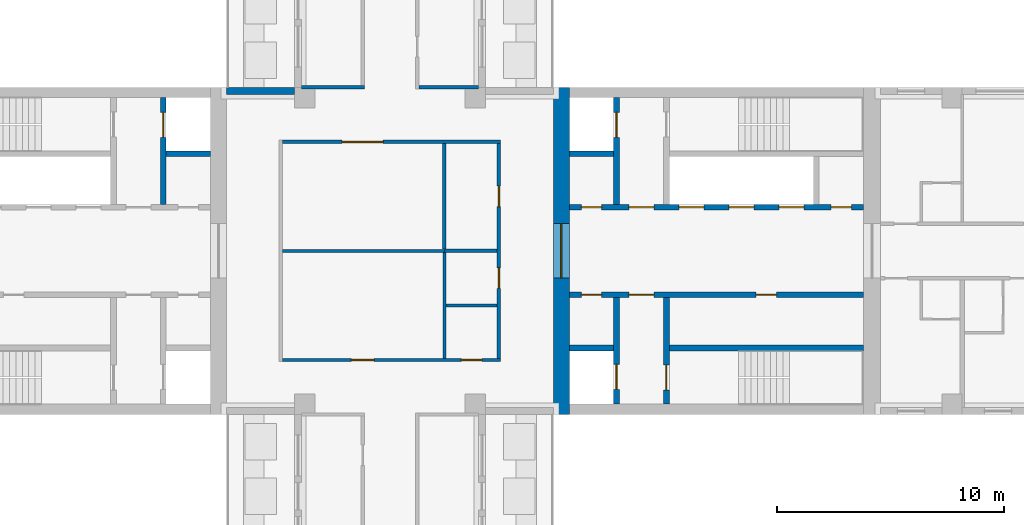
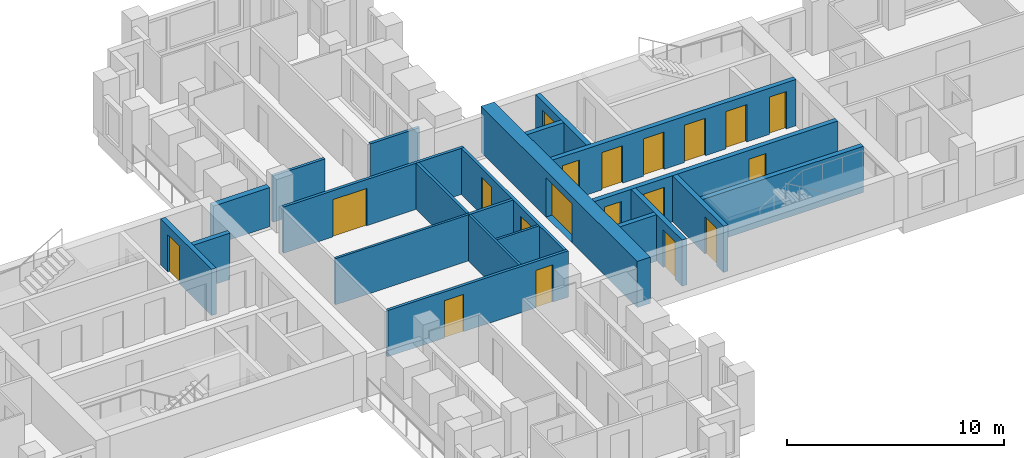
# One storey, part 6 of 12: 22 walls, 19 doors, 19 openings.
"""IFC4 building model written with IfcOpenShell, lengths in metres."""

from ifc_helpers import new_model, si_unit, direction, frame, frame_2d, origin, place, context, subcontext, project, spatial, rectangle, extrude, material, layer, layer_set, type_object, element, fill, save


model = new_model("IFC4")

# Units and contexts
model_context = context("Model", 3, precision=1e-05, world=origin(), true_north=direction((0.0, 1.0)))
body_context = subcontext(model_context, "Body", "Model", "MODEL_VIEW")
ifc_project = project(units=[si_unit("LENGTHUNIT", "METRE"), si_unit("AREAUNIT", "SQUARE_METRE"), si_unit("VOLUMEUNIT", "CUBIC_METRE"), si_unit("PLANEANGLEUNIT", "RADIAN"), si_unit("MASSUNIT", "GRAM", prefix="KILO")], contexts=[model_context])

# Site, building, storey
site_placement = place(None, origin())
site = spatial("IfcSite", under=ifc_project, at=site_placement, CompositionType="ELEMENT")
building_placement = place(site_placement, origin())
building = spatial("IfcBuilding", under=site, at=building_placement, Name="Fustian Cross Tower", CompositionType="ELEMENT")
storey_placement = place(building_placement, frame((0.0, 0.0, 135.300048828125)))
storey = spatial("IfcBuildingStorey", under=building, at=storey_placement, Name="L42", CompositionType="ELEMENT", Elevation=135.300048828125)

# Wall, openings, doors
ifc_material_1 = material(Name="Plasterboard on steel stud", Category="steel")
ifc_layer_1 = layer(ifc_material_1, 0.14990234375)
ifc_layer_set_1 = layer_set([ifc_layer_1], Name="Plasterboard on steel stud")
wall_type_1 = type_object("IfcWallType", Name="COMPARTMENT WALL 150 EI 60", PredefinedType="PARTITIONING", material=ifc_layer_set_1)
wall_1_placement = place(storey_placement, frame((-4.72509765625, -4.800048828125, 0.0), z_axis=(0.0, 0.0, 1.0), x_axis=(1.0, 0.0, 0.0)))
wall_1 = element("IfcWall", 1, at=wall_1_placement, inside=storey, type_object=wall_type_1, Name="Partition 17", PredefinedType="PARTITIONING", context=body_context, shape_type="SweptSolid", body=[
    extrude(rectangle(XDim=9.60009765625, YDim=0.14990234375, at=frame_2d((4.800048828125, 0.0))), origin(), (0.0, 0.0, 1.0), 2.599853515625),
])
opening_1_placement = place(wall_1_placement, frame((7.875, 0.0, 0.0)))
opening_1 = element("IfcOpeningElement", 2, at=opening_1_placement, cuts=wall_1, Name="Opening D19001", PredefinedType="OPENING", context=body_context, shape_type="SweptSolid", body=[
    extrude(rectangle(XDim=0.89990234375, YDim=2.10009765625, at=frame_2d((0.449951171875, 1.050048828125))), frame((0.0, 0.0849609375, 0.0), z_axis=(0.0, -1.0, 0.0), x_axis=(1.0, 0.0, 0.0)), (0.0, 0.0, 1.0), 0.169921875),
])
opening_2_placement = place(wall_1_placement, frame((3.02490234375, 0.0, 0.0)))
opening_2 = element("IfcOpeningElement", 3, at=opening_2_placement, cuts=wall_1, Name="Opening D19004", PredefinedType="OPENING", context=body_context, shape_type="SweptSolid", body=[
    extrude(rectangle(XDim=1.0, YDim=2.10009765625, at=frame_2d((0.5, 1.050048828125))), frame((0.0, 0.0849609375, 0.0), z_axis=(0.0, -1.0, 0.0), x_axis=(1.0, 0.0, 0.0)), (0.0, 0.0, 1.0), 0.169921875),
])
ifc_material_2 = material(Name="Timber fire door set", Category="wood")
door_type_1 = type_object("IfcDoorType", Name="FIRE SWING DOOR 1000 FD30S", OperationType="SINGLE_SWING_LEFT", PredefinedType="DOOR", material=ifc_material_2)
door_1_placement = place(opening_2_placement, origin())
door_1 = element("IfcDoor", 4, at=door_1_placement, inside=storey, type_object=door_type_1, Name="Door D19004", OperationType="SINGLE_SWING_LEFT", OverallHeight=2.10009765625, OverallWidth=1.0, PredefinedType="DOOR", context=body_context, shape_type="SweptSolid", body=[
    extrude(rectangle(XDim=1.0, YDim=2.10009765625, at=frame_2d((0.5, 1.050048828125))), frame((0.0, 0.02490234375, 0.0), z_axis=(0.0, -1.0, 0.0), x_axis=(1.0, 0.0, 0.0)), (0.0, 0.0, 1.0), 0.050048828125),
])
fill(opening_2, door_1)
ifc_material_3 = material(Name="Timber fire door set", Category="wood")
door_type_2 = type_object("IfcDoorType", Name="FIRE SWING DOOR 900 FD30S", OperationType="SINGLE_SWING_LEFT", PredefinedType="DOOR", material=ifc_material_3)
door_2_placement = place(opening_1_placement, origin())
door_2 = element("IfcDoor", 5, at=door_2_placement, inside=storey, type_object=door_type_2, Name="Door D19001", OperationType="SINGLE_SWING_LEFT", OverallHeight=2.10009765625, OverallWidth=0.89990234375, PredefinedType="DOOR", context=body_context, shape_type="SweptSolid", body=[
    extrude(rectangle(XDim=0.89990234375, YDim=2.10009765625, at=frame_2d((0.449951171875, 1.050048828125))), frame((0.0, 0.02490234375, 0.0), z_axis=(0.0, -1.0, 0.0), x_axis=(1.0, 0.0, 0.0)), (0.0, 0.0, 1.0), 0.050048828125),
])
fill(opening_1, door_2)

# Wall, opening, door
wall_2_placement = place(storey_placement, frame((-4.72509765625, 4.800048828125, 0.0), z_axis=(0.0, 0.0, 1.0), x_axis=(1.0, 0.0, 0.0)))
wall_2 = element("IfcWall", 6, at=wall_2_placement, inside=storey, type_object=wall_type_1, Name="Partition 19", PredefinedType="PARTITIONING", context=body_context, shape_type="SweptSolid", body=[
    extrude(rectangle(XDim=9.60009765625, YDim=0.14990234375, at=frame_2d((4.800048828125, 0.0))), origin(), (0.0, 0.0, 1.0), 2.599853515625),
])
opening_3_placement = place(wall_2_placement, frame((2.625, 0.0, 0.0)))
opening_3 = element("IfcOpeningElement", 7, at=opening_3_placement, cuts=wall_2, Name="Opening D19005", PredefinedType="OPENING", context=body_context, shape_type="SweptSolid", body=[
    extrude(rectangle(XDim=1.800048828125, YDim=2.10009765625, at=frame_2d((0.89990234375, 1.050048828125))), frame((0.0, 0.0849609375, 0.0), z_axis=(0.0, -1.0, 0.0), x_axis=(1.0, 0.0, 0.0)), (0.0, 0.0, 1.0), 0.169921875),
])
ifc_material_4 = material(Name="Timber fire door set", Category="wood")
door_type_3 = type_object("IfcDoorType", Name="FIRE DOUBLE DOOR 1800 FD30S", OperationType="DOUBLE_DOOR_DOUBLE_SWING", PredefinedType="DOOR", material=ifc_material_4)
door_3_placement = place(opening_3_placement, origin())
door_3 = element("IfcDoor", 8, at=door_3_placement, inside=storey, type_object=door_type_3, Name="Door D19005", OperationType="DOUBLE_DOOR_DOUBLE_SWING", OverallHeight=2.10009765625, OverallWidth=1.800048828125, PredefinedType="DOOR", context=body_context, shape_type="SweptSolid", body=[
    extrude(rectangle(XDim=1.800048828125, YDim=2.10009765625, at=frame_2d((0.89990234375, 1.050048828125))), frame((0.0, 0.02490234375, 0.0), z_axis=(0.0, -1.0, 0.0), x_axis=(1.0, 0.0, 0.0)), (0.0, 0.0, 1.0), 0.050048828125),
])
fill(opening_3, door_3)

# Walls
wall_3_placement = place(storey_placement, frame((-3.89990234375, 7.199951171875, 0.0), z_axis=(0.0, 0.0, 1.0), x_axis=(1.0, 0.0, 0.0)))
element("IfcWall", 9, at=wall_3_placement, inside=storey, type_object=wall_type_1, Name="Partition 22", PredefinedType="PARTITIONING", context=body_context, shape_type="SweptSolid", body=[
    extrude(rectangle(XDim=2.77490234375, YDim=0.14990234375, at=frame_2d((1.387451171875, 0.0))), origin(), (0.0, 0.0, 1.0), 2.599853515625),
])
wall_4_placement = place(storey_placement, frame((1.27490234375, 7.199951171875, 0.0), z_axis=(0.0, 0.0, 1.0), x_axis=(1.0, 0.0, 0.0)))
element("IfcWall", 10, at=wall_4_placement, inside=storey, type_object=wall_type_1, Name="Partition 39", PredefinedType="PARTITIONING", context=body_context, shape_type="SweptSolid", body=[
    extrude(rectangle(XDim=2.625, YDim=0.14990234375, at=frame_2d((1.3125, 0.0))), origin(), (0.0, 0.0, 1.0), 2.599853515625),
])
wall_5_placement = place(storey_placement, frame((2.39990234375, 0.074951171875, 0.0), z_axis=(0.0, 0.0, 1.0), x_axis=(0.0, 1.0, 0.0)))
element("IfcWall", 11, at=wall_5_placement, inside=storey, type_object=wall_type_1, Name="Partition 44", PredefinedType="PARTITIONING", context=body_context, shape_type="SweptSolid", body=[
    extrude(rectangle(XDim=4.650146484375, YDim=0.14990234375, at=frame_2d((2.3251953125, 0.0))), origin(), (0.0, 0.0, 1.0), 2.599853515625),
])
wall_6_placement = place(storey_placement, frame((2.39990234375, 0.0, 0.0), z_axis=(0.0, 0.0, 1.0), x_axis=(1.0, 0.0, 0.0)))
element("IfcWall", 12, at=wall_6_placement, inside=storey, type_object=wall_type_1, Name="Partition 45", PredefinedType="PARTITIONING", context=body_context, shape_type="SweptSolid", body=[
    extrude(rectangle(XDim=2.3251953125, YDim=0.14990234375, at=frame_2d((1.16259765625, 0.0))), origin(), (0.0, 0.0, 1.0), 2.599853515625),
])

# Wall, openings, doors
wall_7_placement = place(storey_placement, frame((4.800048828125, -4.72509765625, 0.0), z_axis=(0.0, 0.0, 1.0), x_axis=(0.0, 1.0, 0.0)))
wall_7 = element("IfcWall", 13, at=wall_7_placement, inside=storey, type_object=wall_type_1, Name="Partition 48", PredefinedType="PARTITIONING", context=body_context, shape_type="SweptSolid", body=[
    extrude(rectangle(XDim=9.4501953125, YDim=0.14990234375, at=frame_2d((4.72509765625, 0.0))), origin(), (0.0, 0.0, 1.0), 2.599853515625),
])
opening_4_placement = place(wall_7_placement, frame((3.074951171875, 0.0, 0.0)))
opening_4 = element("IfcOpeningElement", 14, at=opening_4_placement, cuts=wall_7, Name="Opening D19002", PredefinedType="OPENING", context=body_context, shape_type="SweptSolid", body=[
    extrude(rectangle(XDim=0.89990234375, YDim=2.10009765625, at=frame_2d((0.449951171875, 1.050048828125))), frame((0.0, 0.0849609375, 0.0), z_axis=(0.0, -1.0, 0.0), x_axis=(1.0, 0.0, 0.0)), (0.0, 0.0, 1.0), 0.169921875),
])
opening_5_placement = place(wall_7_placement, frame((6.675048828125, 0.0, 0.0)))
opening_5 = element("IfcOpeningElement", 15, at=opening_5_placement, cuts=wall_7, Name="Opening D19003", PredefinedType="OPENING", context=body_context, shape_type="SweptSolid", body=[
    extrude(rectangle(XDim=0.89990234375, YDim=2.10009765625, at=frame_2d((0.449951171875, 1.050048828125))), frame((0.0, 0.0849609375, 0.0), z_axis=(0.0, -1.0, 0.0), x_axis=(1.0, 0.0, 0.0)), (0.0, 0.0, 1.0), 0.169921875),
])
door_4_placement = place(opening_4_placement, origin())
door_4 = element("IfcDoor", 16, at=door_4_placement, inside=storey, type_object=door_type_2, Name="Door D19002", OperationType="SINGLE_SWING_LEFT", OverallHeight=2.10009765625, OverallWidth=0.89990234375, PredefinedType="DOOR", context=body_context, shape_type="SweptSolid", body=[
    extrude(rectangle(XDim=0.89990234375, YDim=2.10009765625, at=frame_2d((0.449951171875, 1.050048828125))), frame((0.0, 0.02490234375, 0.0), z_axis=(0.0, -1.0, 0.0), x_axis=(1.0, 0.0, 0.0)), (0.0, 0.0, 1.0), 0.050048828125),
])
fill(opening_4, door_4)
door_5_placement = place(opening_5_placement, origin())
door_5 = element("IfcDoor", 17, at=door_5_placement, inside=storey, type_object=door_type_2, Name="Door D19003", OperationType="SINGLE_SWING_LEFT", OverallHeight=2.10009765625, OverallWidth=0.89990234375, PredefinedType="DOOR", context=body_context, shape_type="SweptSolid", body=[
    extrude(rectangle(XDim=0.89990234375, YDim=2.10009765625, at=frame_2d((0.449951171875, 1.050048828125))), frame((0.0, 0.02490234375, 0.0), z_axis=(0.0, -1.0, 0.0), x_axis=(1.0, 0.0, 0.0)), (0.0, 0.0, 1.0), 0.050048828125),
])
fill(opening_5, door_5)

# Wall, opening, door
ifc_material_5 = material(Name="Concrete C60/75", Category="concrete")
ifc_layer_2 = layer(ifc_material_5, 0.699951171875)
ifc_layer_set_2 = layer_set([ifc_layer_2], Name="Concrete C60/75")
wall_type_2 = type_object("IfcWallType", Name="CORE END WALL 700 C60/75", PredefinedType="SHEAR", material=ifc_layer_set_2)
wall_8_placement = place(storey_placement, frame((7.550048828125, -7.199951171875, 0.0), z_axis=(0.0, 0.0, 1.0), x_axis=(0.0, 1.0, 0.0)))
wall_8 = element("IfcWall", 18, at=wall_8_placement, inside=storey, type_object=wall_type_2, Name="Core end wall", PredefinedType="SHEAR", context=body_context, shape_type="SweptSolid", body=[
    extrude(rectangle(XDim=14.39990234375, YDim=0.699951171875, at=frame_2d((7.199951171875, 0.0))), origin(), (0.0, 0.0, 1.0), 2.599853515625),
])
opening_6_placement = place(wall_8_placement, frame((6.0, 0.0, 0.0)))
opening_6 = element("IfcOpeningElement", 19, at=opening_6_placement, cuts=wall_8, Name="Opening CD-17-12", PredefinedType="OPENING", context=body_context, shape_type="SweptSolid", body=[
    extrude(rectangle(XDim=2.39990234375, YDim=2.199951171875, at=frame_2d((1.199951171875, 1.10009765625))), frame((0.0, 0.35986328125, 0.0), z_axis=(0.0, -1.0, 0.0), x_axis=(1.0, 0.0, 0.0)), (0.0, 0.0, 1.0), 0.719970703125),
])
ifc_material_6 = material(Name="Steel", Category="steel")
door_type_4 = type_object("IfcDoorType", Name="FIRE DOOR FD30S DOUBLE 2400X2200", OperationType="DOUBLE_DOOR_DOUBLE_SWING", PredefinedType="DOOR", material=ifc_material_6)
door_6_placement = place(opening_6_placement, origin())
door_6 = element("IfcDoor", 20, at=door_6_placement, inside=storey, type_object=door_type_4, Name="Core door CD-17-12", OperationType="DOUBLE_DOOR_DOUBLE_SWING", OverallHeight=2.199951171875, OverallWidth=2.39990234375, PredefinedType="DOOR", context=body_context, shape_type="SweptSolid", body=[
    extrude(rectangle(XDim=2.39990234375, YDim=2.199951171875, at=frame_2d((1.199951171875, 1.10009765625))), frame((0.0, 0.02490234375, 0.0), z_axis=(0.0, -1.0, 0.0), x_axis=(1.0, 0.0, 0.0)), (0.0, 0.0, 1.0), 0.050048828125),
])
fill(opening_6, door_6)

# Wall, openings, doors
ifc_material_7 = material(Name="Concrete C50/60", Category="concrete")
ifc_layer_3 = layer(ifc_material_7, 0.25)
ifc_layer_set_3 = layer_set([ifc_layer_3], Name="Concrete C50/60")
wall_type_3 = type_object("IfcWallType", Name="CORE LOBBY WALL 250 C50/60", PredefinedType="SHEAR", material=ifc_layer_set_3)
wall_9_placement = place(storey_placement, frame((7.89990234375, 1.925048828125, 0.0), z_axis=(0.0, 0.0, 1.0), x_axis=(1.0, 0.0, 0.0)))
wall_9 = element("IfcWall", 21, at=wall_9_placement, inside=storey, type_object=wall_type_3, Name="Core lobby wall", PredefinedType="SHEAR", context=body_context, shape_type="SweptSolid", body=[
    extrude(rectangle(XDim=12.9501953125, YDim=0.25, at=frame_2d((6.47509765625, 0.0))), origin(), (0.0, 0.0, 1.0), 2.599853515625),
])
opening_7_placement = place(wall_9_placement, frame((4.824951171875, 0.0, 0.0)))
opening_7 = element("IfcOpeningElement", 22, at=opening_7_placement, cuts=wall_9, Name="Opening LD", PredefinedType="OPENING", context=body_context, shape_type="SweptSolid", body=[
    extrude(rectangle(XDim=1.10009765625, YDim=2.10009765625, at=frame_2d((0.550048828125, 1.050048828125))), frame((0.0, 0.135009765625, 0.0), z_axis=(0.0, -1.0, 0.0), x_axis=(1.0, 0.0, 0.0)), (0.0, 0.0, 1.0), 0.27001953125),
])
opening_8_placement = place(wall_9_placement, frame((7.02490234375, 0.0, 0.0)))
opening_8 = element("IfcOpeningElement", 23, at=opening_8_placement, cuts=wall_9, Name="Opening LD", PredefinedType="OPENING", context=body_context, shape_type="SweptSolid", body=[
    extrude(rectangle(XDim=1.10009765625, YDim=2.10009765625, at=frame_2d((0.550048828125, 1.050048828125))), frame((0.0, 0.135009765625, 0.0), z_axis=(0.0, -1.0, 0.0), x_axis=(1.0, 0.0, 0.0)), (0.0, 0.0, 1.0), 0.27001953125),
])
opening_9_placement = place(wall_9_placement, frame((9.22509765625, 0.0, 0.0)))
opening_9 = element("IfcOpeningElement", 24, at=opening_9_placement, cuts=wall_9, Name="Opening LD", PredefinedType="OPENING", context=body_context, shape_type="SweptSolid", body=[
    extrude(rectangle(XDim=1.10009765625, YDim=2.10009765625, at=frame_2d((0.550048828125, 1.050048828125))), frame((0.0, 0.135009765625, 0.0), z_axis=(0.0, -1.0, 0.0), x_axis=(1.0, 0.0, 0.0)), (0.0, 0.0, 1.0), 0.27001953125),
])
opening_10_placement = place(wall_9_placement, frame((0.52490234375, 0.0, 0.0)))
opening_10 = element("IfcOpeningElement", 25, at=opening_10_placement, cuts=wall_9, Name="Opening CD-17-08", PredefinedType="OPENING", context=body_context, shape_type="SweptSolid", body=[
    extrude(rectangle(XDim=0.89990234375, YDim=2.10009765625, at=frame_2d((0.449951171875, 1.050048828125))), frame((0.0, 0.135009765625, 0.0), z_axis=(0.0, -1.0, 0.0), x_axis=(1.0, 0.0, 0.0)), (0.0, 0.0, 1.0), 0.27001953125),
])
opening_11_placement = place(wall_9_placement, frame((2.625, 0.0, 0.0)))
opening_11 = element("IfcOpeningElement", 26, at=opening_11_placement, cuts=wall_9, Name="Opening CD-17-10", PredefinedType="OPENING", context=body_context, shape_type="SweptSolid", body=[
    extrude(rectangle(XDim=1.10009765625, YDim=2.10009765625, at=frame_2d((0.550048828125, 1.050048828125))), frame((0.0, 0.135009765625, 0.0), z_axis=(0.0, -1.0, 0.0), x_axis=(1.0, 0.0, 0.0)), (0.0, 0.0, 1.0), 0.27001953125),
])
opening_12_placement = place(wall_9_placement, frame((11.52490234375, 0.0, 0.0)))
opening_12 = element("IfcOpeningElement", 27, at=opening_12_placement, cuts=wall_9, Name="Opening CD-17-14", PredefinedType="OPENING", context=body_context, shape_type="SweptSolid", body=[
    extrude(rectangle(XDim=0.89990234375, YDim=2.10009765625, at=frame_2d((0.449951171875, 1.050048828125))), frame((0.0, 0.135009765625, 0.0), z_axis=(0.0, -1.0, 0.0), x_axis=(1.0, 0.0, 0.0)), (0.0, 0.0, 1.0), 0.27001953125),
])
ifc_material_8 = material(Name="Steel", Category="steel")
door_type_5 = type_object("IfcDoorType", Name="FIRE DOOR FD30S 900X2100", OperationType="SINGLE_SWING_LEFT", PredefinedType="DOOR", material=ifc_material_8)
door_7_placement = place(opening_12_placement, origin())
door_7 = element("IfcDoor", 28, at=door_7_placement, inside=storey, type_object=door_type_5, Name="Core door CD-17-14", OperationType="SINGLE_SWING_LEFT", OverallHeight=2.10009765625, OverallWidth=0.89990234375, PredefinedType="DOOR", context=body_context, shape_type="SweptSolid", body=[
    extrude(rectangle(XDim=0.89990234375, YDim=2.10009765625, at=frame_2d((0.449951171875, 1.050048828125))), frame((0.0, 0.02490234375, 0.0), z_axis=(0.0, -1.0, 0.0), x_axis=(1.0, 0.0, 0.0)), (0.0, 0.0, 1.0), 0.050048828125),
])
fill(opening_12, door_7)
ifc_material_9 = material(Name="Steel", Category="steel")
door_type_6 = type_object("IfcDoorType", Name="FIRE DOOR FD60S 1100X2100", OperationType="SINGLE_SWING_LEFT", PredefinedType="DOOR", material=ifc_material_9)
door_8_placement = place(opening_11_placement, frame((1.10009765625, 0.0, 0.0), z_axis=(0.0, 0.0, 1.0), x_axis=(-1.0, 0.0, 0.0)))
door_8 = element("IfcDoor", 29, at=door_8_placement, inside=storey, type_object=door_type_6, Name="Core door CD-17-10", OperationType="SINGLE_SWING_RIGHT", OverallHeight=2.10009765625, OverallWidth=1.10009765625, PredefinedType="DOOR", context=body_context, shape_type="SweptSolid", body=[
    extrude(rectangle(XDim=1.10009765625, YDim=2.10009765625, at=frame_2d((0.550048828125, 1.050048828125))), frame((0.0, 0.02490234375, 0.0), z_axis=(0.0, -1.0, 0.0), x_axis=(1.0, 0.0, 0.0)), (0.0, 0.0, 1.0), 0.050048828125),
])
fill(opening_11, door_8)
ifc_material_10 = material(Name="Steel", Category="steel")
door_type_7 = type_object("IfcDoorType", Name="FIRE DOOR FD60S 900X2100", OperationType="SINGLE_SWING_LEFT", PredefinedType="DOOR", material=ifc_material_10)
door_9_placement = place(opening_10_placement, origin())
door_9 = element("IfcDoor", 30, at=door_9_placement, inside=storey, type_object=door_type_7, Name="Core door CD-17-08", OperationType="SINGLE_SWING_LEFT", OverallHeight=2.10009765625, OverallWidth=0.89990234375, PredefinedType="DOOR", context=body_context, shape_type="SweptSolid", body=[
    extrude(rectangle(XDim=0.89990234375, YDim=2.10009765625, at=frame_2d((0.449951171875, 1.050048828125))), frame((0.0, 0.02490234375, 0.0), z_axis=(0.0, -1.0, 0.0), x_axis=(1.0, 0.0, 0.0)), (0.0, 0.0, 1.0), 0.050048828125),
])
fill(opening_10, door_9)
ifc_material_11 = material(Name="Stainless steel", Category="steel")
door_type_8 = type_object("IfcDoorType", Name="LIFT LANDING DOOR 1100X2100", OperationType="SLIDING_TO_LEFT", PredefinedType="DOOR", material=ifc_material_11)
door_10_placement = place(opening_7_placement, origin())
door_10 = element("IfcDoor", 31, at=door_10_placement, inside=storey, type_object=door_type_8, Name="Landing door HR1", OperationType="SLIDING_TO_LEFT", OverallHeight=2.10009765625, OverallWidth=1.10009765625, PredefinedType="DOOR", context=body_context, shape_type="SweptSolid", body=[
    extrude(rectangle(XDim=1.10009765625, YDim=2.10009765625, at=frame_2d((0.550048828125, 1.050048828125))), frame((0.0, 0.02490234375, 0.0), z_axis=(0.0, -1.0, 0.0), x_axis=(1.0, 0.0, 0.0)), (0.0, 0.0, 1.0), 0.050048828125),
])
fill(opening_7, door_10)
door_11_placement = place(opening_8_placement, origin())
door_11 = element("IfcDoor", 32, at=door_11_placement, inside=storey, type_object=door_type_8, Name="Landing door HR2", OperationType="SLIDING_TO_LEFT", OverallHeight=2.10009765625, OverallWidth=1.10009765625, PredefinedType="DOOR", context=body_context, shape_type="SweptSolid", body=[
    extrude(rectangle(XDim=1.10009765625, YDim=2.10009765625, at=frame_2d((0.550048828125, 1.050048828125))), frame((0.0, 0.02490234375, 0.0), z_axis=(0.0, -1.0, 0.0), x_axis=(1.0, 0.0, 0.0)), (0.0, 0.0, 1.0), 0.050048828125),
])
fill(opening_8, door_11)
door_12_placement = place(opening_9_placement, origin())
door_12 = element("IfcDoor", 33, at=door_12_placement, inside=storey, type_object=door_type_8, Name="Landing door HR3", OperationType="SLIDING_TO_LEFT", OverallHeight=2.10009765625, OverallWidth=1.10009765625, PredefinedType="DOOR", context=body_context, shape_type="SweptSolid", body=[
    extrude(rectangle(XDim=1.10009765625, YDim=2.10009765625, at=frame_2d((0.550048828125, 1.050048828125))), frame((0.0, 0.02490234375, 0.0), z_axis=(0.0, -1.0, 0.0), x_axis=(1.0, 0.0, 0.0)), (0.0, 0.0, 1.0), 0.050048828125),
])
fill(opening_9, door_12)

wall_10_placement = place(storey_placement, frame((7.89990234375, -1.925048828125, 0.0), z_axis=(0.0, 0.0, 1.0), x_axis=(1.0, 0.0, 0.0)))
wall_10 = element("IfcWall", 34, at=wall_10_placement, inside=storey, type_object=wall_type_3, Name="Core lobby wall", PredefinedType="SHEAR", context=body_context, shape_type="SweptSolid", body=[
    extrude(rectangle(XDim=12.9501953125, YDim=0.25, at=frame_2d((6.47509765625, 0.0))), origin(), (0.0, 0.0, 1.0), 2.599853515625),
])
opening_13_placement = place(wall_10_placement, frame((0.52490234375, 0.0, 0.0)))
opening_13 = element("IfcOpeningElement", 35, at=opening_13_placement, cuts=wall_10, Name="Opening CD-17-09", PredefinedType="OPENING", context=body_context, shape_type="SweptSolid", body=[
    extrude(rectangle(XDim=0.89990234375, YDim=2.10009765625, at=frame_2d((0.449951171875, 1.050048828125))), frame((0.0, 0.135009765625, 0.0), z_axis=(0.0, -1.0, 0.0), x_axis=(1.0, 0.0, 0.0)), (0.0, 0.0, 1.0), 0.27001953125),
])
opening_14_placement = place(wall_10_placement, frame((2.625, 0.0, 0.0)))
opening_14 = element("IfcOpeningElement", 36, at=opening_14_placement, cuts=wall_10, Name="Opening CD-17-11", PredefinedType="OPENING", context=body_context, shape_type="SweptSolid", body=[
    extrude(rectangle(XDim=1.10009765625, YDim=2.10009765625, at=frame_2d((0.550048828125, 1.050048828125))), frame((0.0, 0.135009765625, 0.0), z_axis=(0.0, -1.0, 0.0), x_axis=(1.0, 0.0, 0.0)), (0.0, 0.0, 1.0), 0.27001953125),
])
opening_15_placement = place(wall_10_placement, frame((8.22509765625, 0.0, 0.0)))
opening_15 = element("IfcOpeningElement", 37, at=opening_15_placement, cuts=wall_10, Name="Opening CD-17-15", PredefinedType="OPENING", context=body_context, shape_type="SweptSolid", body=[
    extrude(rectangle(XDim=0.89990234375, YDim=2.10009765625, at=frame_2d((0.449951171875, 1.050048828125))), frame((0.0, 0.135009765625, 0.0), z_axis=(0.0, -1.0, 0.0), x_axis=(1.0, 0.0, 0.0)), (0.0, 0.0, 1.0), 0.27001953125),
])
ifc_material_12 = material(Name="Steel", Category="steel")
door_type_9 = type_object("IfcDoorType", Name="FIRE DOOR FD30S 1100X2100", OperationType="SINGLE_SWING_LEFT", PredefinedType="DOOR", material=ifc_material_12)
door_13_placement = place(opening_14_placement, frame((1.10009765625, 0.0, 0.0), z_axis=(0.0, 0.0, 1.0), x_axis=(-1.0, 0.0, 0.0)))
door_13 = element("IfcDoor", 38, at=door_13_placement, inside=storey, type_object=door_type_9, Name="Core door CD-17-11", OperationType="SINGLE_SWING_RIGHT", OverallHeight=2.10009765625, OverallWidth=1.10009765625, PredefinedType="DOOR", context=body_context, shape_type="SweptSolid", body=[
    extrude(rectangle(XDim=1.10009765625, YDim=2.10009765625, at=frame_2d((0.550048828125, 1.050048828125))), frame((0.0, 0.02490234375, 0.0), z_axis=(0.0, -1.0, 0.0), x_axis=(1.0, 0.0, 0.0)), (0.0, 0.0, 1.0), 0.050048828125),
])
fill(opening_14, door_13)
door_14_placement = place(opening_13_placement, frame((0.89990234375, 0.0, 0.0), z_axis=(0.0, 0.0, 1.0), x_axis=(-1.0, 0.0, 0.0)))
door_14 = element("IfcDoor", 39, at=door_14_placement, inside=storey, type_object=door_type_5, Name="Core door CD-17-09", OperationType="SINGLE_SWING_RIGHT", OverallHeight=2.10009765625, OverallWidth=0.89990234375, PredefinedType="DOOR", context=body_context, shape_type="SweptSolid", body=[
    extrude(rectangle(XDim=0.89990234375, YDim=2.10009765625, at=frame_2d((0.449951171875, 1.050048828125))), frame((0.0, 0.02490234375, 0.0), z_axis=(0.0, -1.0, 0.0), x_axis=(1.0, 0.0, 0.0)), (0.0, 0.0, 1.0), 0.050048828125),
])
fill(opening_13, door_14)
door_15_placement = place(opening_15_placement, frame((0.89990234375, 0.0, 0.0), z_axis=(0.0, 0.0, 1.0), x_axis=(-1.0, 0.0, 0.0)))
door_15 = element("IfcDoor", 40, at=door_15_placement, inside=storey, type_object=door_type_5, Name="Core door CD-17-15", OperationType="SINGLE_SWING_LEFT", OverallHeight=2.10009765625, OverallWidth=0.89990234375, PredefinedType="DOOR", context=body_context, shape_type="SweptSolid", body=[
    extrude(rectangle(XDim=0.89990234375, YDim=2.10009765625, at=frame_2d((0.449951171875, 1.050048828125))), frame((0.0, 0.02490234375, 0.0), z_axis=(0.0, -1.0, 0.0), x_axis=(1.0, 0.0, 0.0)), (0.0, 0.0, 1.0), 0.050048828125),
])
fill(opening_15, door_15)

# Wall
ifc_material_13 = material(Name="Concrete C50/60", Category="concrete")
ifc_layer_4 = layer(ifc_material_13, 0.25)
ifc_layer_set_4 = layer_set([ifc_layer_4], Name="Concrete C50/60")
wall_type_4 = type_object("IfcWallType", Name="CORE SHAFT WALL 250 C50/60", PredefinedType="SHEAR", material=ifc_layer_set_4)
wall_11_placement = place(storey_placement, frame((7.89990234375, 4.27490234375, 0.0), z_axis=(0.0, 0.0, 1.0), x_axis=(1.0, 0.0, 0.0)))
element("IfcWall", 41, at=wall_11_placement, inside=storey, type_object=wall_type_4, Name="Core shaft wall", PredefinedType="SHEAR", context=body_context, shape_type="SweptSolid", body=[
    extrude(rectangle(XDim=1.9501953125, YDim=0.25, at=frame_2d((0.97509765625, 0.0))), origin(), (0.0, 0.0, 1.0), 2.599853515625),
])

# Wall, opening, door
wall_12_placement = place(storey_placement, frame((9.97509765625, 2.050048828125, 0.0), z_axis=(0.0, 0.0, 1.0), x_axis=(0.0, 1.0, 0.0)))
wall_12 = element("IfcWall", 42, at=wall_12_placement, inside=storey, type_object=wall_type_4, Name="Core shaft wall", PredefinedType="SHEAR", context=body_context, shape_type="SweptSolid", body=[
    extrude(rectangle(XDim=4.699951171875, YDim=0.25, at=frame_2d((2.35009765625, 0.0))), origin(), (0.0, 0.0, 1.0), 2.599853515625),
])
opening_16_placement = place(wall_12_placement, frame((2.949951171875, 0.0, 0.0)))
opening_16 = element("IfcOpeningElement", 43, at=opening_16_placement, cuts=wall_12, Name="Opening LD", PredefinedType="OPENING", context=body_context, shape_type="SweptSolid", body=[
    extrude(rectangle(XDim=1.10009765625, YDim=2.10009765625, at=frame_2d((0.550048828125, 1.050048828125))), frame((0.0, 0.135009765625, 0.0), z_axis=(0.0, -1.0, 0.0), x_axis=(1.0, 0.0, 0.0)), (0.0, 0.0, 1.0), 0.27001953125),
])
door_16_placement = place(opening_16_placement, origin())
door_16 = element("IfcDoor", 44, at=door_16_placement, inside=storey, type_object=door_type_8, Name="Landing door FL1", OperationType="SLIDING_TO_LEFT", OverallHeight=2.10009765625, OverallWidth=1.10009765625, PredefinedType="DOOR", context=body_context, shape_type="SweptSolid", body=[
    extrude(rectangle(XDim=1.10009765625, YDim=2.10009765625, at=frame_2d((0.550048828125, 1.050048828125))), frame((0.0, 0.02490234375, 0.0), z_axis=(0.0, -1.0, 0.0), x_axis=(1.0, 0.0, 0.0)), (0.0, 0.0, 1.0), 0.050048828125),
])
fill(opening_16, door_16)

# Walls
wall_13_placement = place(storey_placement, frame((7.89990234375, -4.27490234375, 0.0), z_axis=(0.0, 0.0, 1.0), x_axis=(1.0, 0.0, 0.0)))
element("IfcWall", 45, at=wall_13_placement, inside=storey, type_object=wall_type_4, Name="Core shaft wall", PredefinedType="SHEAR", context=body_context, shape_type="SweptSolid", body=[
    extrude(rectangle(XDim=1.9501953125, YDim=0.25, at=frame_2d((0.97509765625, 0.0))), origin(), (0.0, 0.0, 1.0), 2.599853515625),
])
wall_14_placement = place(storey_placement, frame((12.300048828125, -4.27490234375, 0.0), z_axis=(0.0, 0.0, 1.0), x_axis=(1.0, 0.0, 0.0)))
element("IfcWall", 46, at=wall_14_placement, inside=storey, type_object=wall_type_4, Name="Core shaft wall", PredefinedType="SHEAR", context=body_context, shape_type="SweptSolid", body=[
    extrude(rectangle(XDim=8.550048828125, YDim=0.25, at=frame_2d((4.27490234375, 0.0))), origin(), (0.0, 0.0, 1.0), 2.599853515625),
])

# Wall, opening, door
wall_15_placement = place(storey_placement, frame((9.97509765625, -2.050048828125, 0.0), z_axis=(0.0, 0.0, 1.0), x_axis=(0.0, -1.0, 0.0)))
wall_15 = element("IfcWall", 47, at=wall_15_placement, inside=storey, type_object=wall_type_4, Name="Core shaft wall", PredefinedType="SHEAR", context=body_context, shape_type="SweptSolid", body=[
    extrude(rectangle(XDim=4.699951171875, YDim=0.25, at=frame_2d((2.35009765625, 0.0))), origin(), (0.0, 0.0, 1.0), 2.599853515625),
])
opening_17_placement = place(wall_15_placement, frame((2.949951171875, 0.0, 0.0)))
opening_17 = element("IfcOpeningElement", 48, at=opening_17_placement, cuts=wall_15, Name="Opening LD", PredefinedType="OPENING", context=body_context, shape_type="SweptSolid", body=[
    extrude(rectangle(XDim=1.10009765625, YDim=2.10009765625, at=frame_2d((0.550048828125, 1.050048828125))), frame((0.0, 0.135009765625, 0.0), z_axis=(0.0, -1.0, 0.0), x_axis=(1.0, 0.0, 0.0)), (0.0, 0.0, 1.0), 0.27001953125),
])
door_17_placement = place(opening_17_placement, origin())
door_17 = element("IfcDoor", 49, at=door_17_placement, inside=storey, type_object=door_type_8, Name="Landing door SV1", OperationType="SLIDING_TO_LEFT", OverallHeight=2.10009765625, OverallWidth=1.10009765625, PredefinedType="DOOR", context=body_context, shape_type="SweptSolid", body=[
    extrude(rectangle(XDim=1.10009765625, YDim=2.10009765625, at=frame_2d((0.550048828125, 1.050048828125))), frame((0.0, 0.02490234375, 0.0), z_axis=(0.0, -1.0, 0.0), x_axis=(1.0, 0.0, 0.0)), (0.0, 0.0, 1.0), 0.050048828125),
])
fill(opening_17, door_17)

wall_16_placement = place(storey_placement, frame((12.175048828125, -2.050048828125, 0.0), z_axis=(0.0, 0.0, 1.0), x_axis=(0.0, -1.0, 0.0)))
wall_16 = element("IfcWall", 50, at=wall_16_placement, inside=storey, type_object=wall_type_4, Name="Core shaft wall", PredefinedType="SHEAR", context=body_context, shape_type="SweptSolid", body=[
    extrude(rectangle(XDim=4.699951171875, YDim=0.25, at=frame_2d((2.35009765625, 0.0))), origin(), (0.0, 0.0, 1.0), 2.599853515625),
])
opening_18_placement = place(wall_16_placement, frame((2.97509765625, 0.0, 0.0)))
opening_18 = element("IfcOpeningElement", 51, at=opening_18_placement, cuts=wall_16, Name="Opening CD-17-07", PredefinedType="OPENING", context=body_context, shape_type="SweptSolid", body=[
    extrude(rectangle(XDim=1.10009765625, YDim=2.10009765625, at=frame_2d((0.550048828125, 1.050048828125))), frame((0.0, 0.135009765625, 0.0), z_axis=(0.0, -1.0, 0.0), x_axis=(1.0, 0.0, 0.0)), (0.0, 0.0, 1.0), 0.27001953125),
])
door_18_placement = place(opening_18_placement, origin())
door_18 = element("IfcDoor", 52, at=door_18_placement, inside=storey, type_object=door_type_6, Name="Core door CD-17-07", OperationType="SINGLE_SWING_LEFT", OverallHeight=2.10009765625, OverallWidth=1.10009765625, PredefinedType="DOOR", context=body_context, shape_type="SweptSolid", body=[
    extrude(rectangle(XDim=1.10009765625, YDim=2.10009765625, at=frame_2d((0.550048828125, 1.050048828125))), frame((0.0, 0.02490234375, 0.0), z_axis=(0.0, -1.0, 0.0), x_axis=(1.0, 0.0, 0.0)), (0.0, 0.0, 1.0), 0.050048828125),
])
fill(opening_18, door_18)

# Wall
wall_17_placement = place(storey_placement, frame((-7.89990234375, 4.27490234375, 0.0), z_axis=(0.0, 0.0, 1.0), x_axis=(-1.0, 0.0, 0.0)))
element("IfcWall", 53, at=wall_17_placement, inside=storey, type_object=wall_type_4, Name="Core shaft wall", PredefinedType="SHEAR", context=body_context, shape_type="SweptSolid", body=[
    extrude(rectangle(XDim=1.9501953125, YDim=0.25, at=frame_2d((0.97509765625, 0.0))), origin(), (0.0, 0.0, 1.0), 2.599853515625),
])

# Wall, opening, door
wall_18_placement = place(storey_placement, frame((-9.97509765625, 2.050048828125, 0.0), z_axis=(0.0, 0.0, 1.0), x_axis=(0.0, 1.0, 0.0)))
wall_18 = element("IfcWall", 54, at=wall_18_placement, inside=storey, type_object=wall_type_4, Name="Core shaft wall", PredefinedType="SHEAR", context=body_context, shape_type="SweptSolid", body=[
    extrude(rectangle(XDim=4.699951171875, YDim=0.25, at=frame_2d((2.35009765625, 0.0))), origin(), (0.0, 0.0, 1.0), 2.599853515625),
])
opening_19_placement = place(wall_18_placement, frame((2.949951171875, 0.0, 0.0)))
opening_19 = element("IfcOpeningElement", 55, at=opening_19_placement, cuts=wall_18, Name="Opening LD", PredefinedType="OPENING", context=body_context, shape_type="SweptSolid", body=[
    extrude(rectangle(XDim=1.10009765625, YDim=2.10009765625, at=frame_2d((0.550048828125, 1.050048828125))), frame((0.0, 0.135009765625, 0.0), z_axis=(0.0, -1.0, 0.0), x_axis=(1.0, 0.0, 0.0)), (0.0, 0.0, 1.0), 0.27001953125),
])
door_19_placement = place(opening_19_placement, origin())
door_19 = element("IfcDoor", 56, at=door_19_placement, inside=storey, type_object=door_type_8, Name="Landing door FL1W", OperationType="SLIDING_TO_LEFT", OverallHeight=2.10009765625, OverallWidth=1.10009765625, PredefinedType="DOOR", context=body_context, shape_type="SweptSolid", body=[
    extrude(rectangle(XDim=1.10009765625, YDim=2.10009765625, at=frame_2d((0.550048828125, 1.050048828125))), frame((0.0, 0.02490234375, 0.0), z_axis=(0.0, -1.0, 0.0), x_axis=(1.0, 0.0, 0.0)), (0.0, 0.0, 1.0), 0.050048828125),
])
fill(opening_19, door_19)

# Walls
ifc_material_14 = material(Name="Plasterboard on steel stud", Category="steel")
ifc_layer_5 = layer(ifc_material_14, 0.125)
ifc_layer_set_5 = layer_set([ifc_layer_5], Name="Plasterboard on steel stud")
wall_type_5 = type_object("IfcWallType", Name="WET WALL 125 STUD", PredefinedType="PARTITIONING", material=ifc_layer_set_5)
wall_19_placement = place(storey_placement, frame((-4.72509765625, 0.0, 0.0), z_axis=(0.0, 0.0, 1.0), x_axis=(1.0, 0.0, 0.0)))
element("IfcWall", 57, at=wall_19_placement, inside=storey, type_object=wall_type_5, Name="Partition 18", PredefinedType="PARTITIONING", context=body_context, shape_type="SweptSolid", body=[
    extrude(rectangle(XDim=7.125, YDim=0.125, at=frame_2d((3.5625, 0.0))), origin(), (0.0, 0.0, 1.0), 2.599853515625),
])
wall_20_placement = place(storey_placement, frame((2.39990234375, -4.72509765625, 0.0), z_axis=(0.0, 0.0, 1.0), x_axis=(0.0, 1.0, 0.0)))
element("IfcWall", 58, at=wall_20_placement, inside=storey, type_object=wall_type_5, Name="Partition 42", PredefinedType="PARTITIONING", context=body_context, shape_type="SweptSolid", body=[
    extrude(rectangle(XDim=4.650146484375, YDim=0.125, at=frame_2d((2.3251953125, 0.0))), origin(), (0.0, 0.0, 1.0), 2.599853515625),
])
wall_21_placement = place(storey_placement, frame((2.46240234375, -2.39990234375, 0.0), z_axis=(0.0, 0.0, 1.0), x_axis=(1.0, 0.0, 0.0)))
element("IfcWall", 59, at=wall_21_placement, inside=storey, type_object=wall_type_5, Name="Partition 43", PredefinedType="PARTITIONING", context=body_context, shape_type="SweptSolid", body=[
    extrude(rectangle(XDim=2.2626953125, YDim=0.125, at=frame_2d((1.13134765625, 0.0))), origin(), (0.0, 0.0, 1.0), 2.599853515625),
])
ifc_material_15 = material(Name="Dark aluminium cladding on insulated backing wall", Category="aluminium")
ifc_layer_6 = layer(ifc_material_15, 0.300048828125)
ifc_layer_set_6 = layer_set([ifc_layer_6], Name="Dark aluminium cladding on insulated backing wall")
wall_type_6 = type_object("IfcWallType", Name="XW1 EXTERNAL WALL 300", PredefinedType="SOLIDWALL", material=ifc_layer_set_6)
wall_22_placement = place(storey_placement, frame((-4.199951171875, 7.050048828125, 0.0), z_axis=(0.0, 0.0, 1.0), x_axis=(-1.0, 0.0, 0.0)))
element("IfcWall", 60, at=wall_22_placement, inside=storey, type_object=wall_type_6, Name="External wall", PredefinedType="SOLIDWALL", context=body_context, shape_type="SweptSolid", body=[
    extrude(rectangle(XDim=3.0, YDim=0.300048828125, at=frame_2d((1.5, 0.0))), origin(), (0.0, 0.0, 1.0), 2.199951171875),
])

save(model, "model.ifc")
